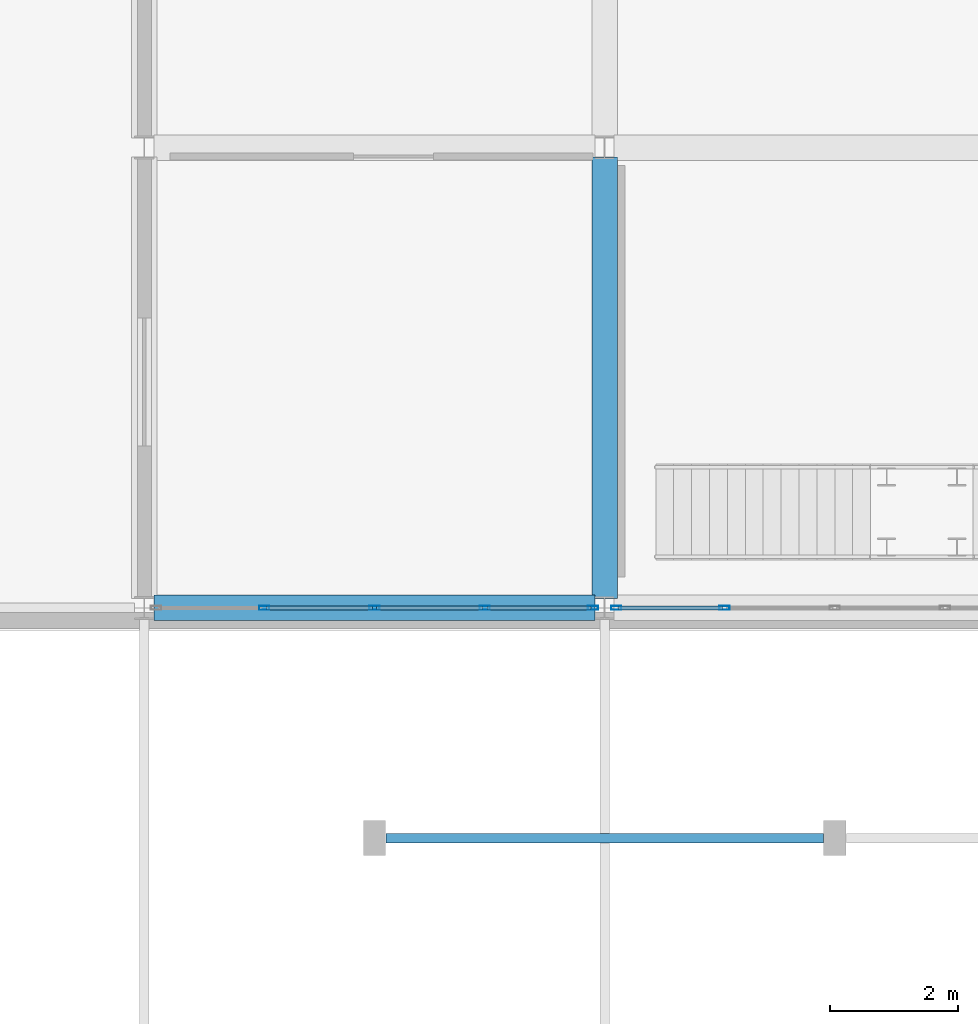
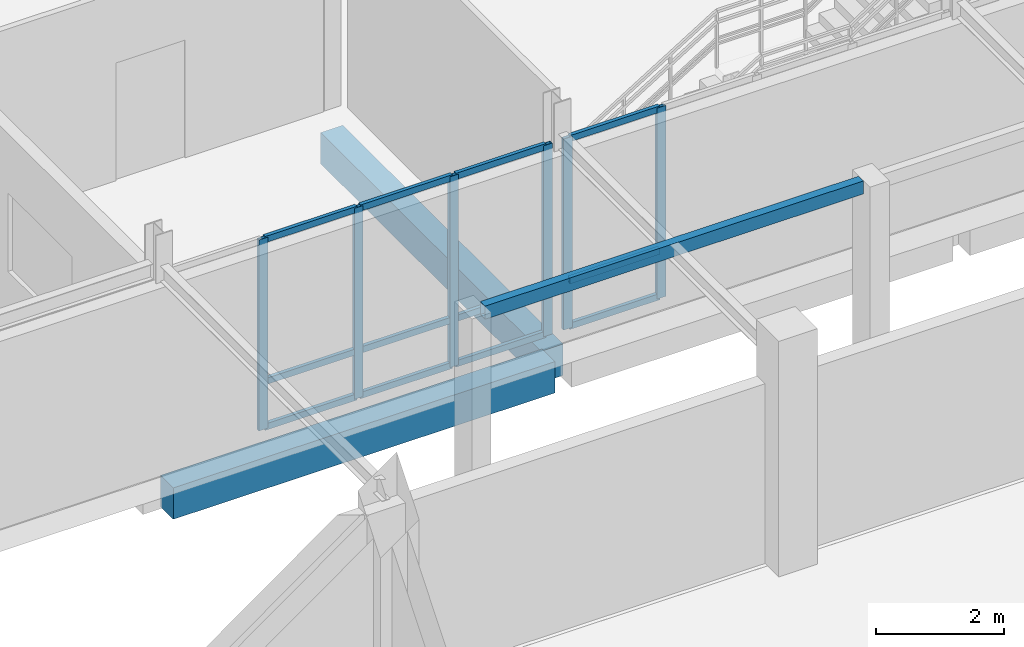
# One storey, part 29 of 139: 18 members, 3 beams, 2 elements without a shape of their own.
"""IFC4 building model written with IfcOpenShell, lengths in metres."""

from ifc_helpers import new_model, si_unit, direction, frame, origin, origin_2d, place, context, subcontext, project, spatial, rectangle, hollow_rectangle, extrude, material, material_profile, profile_set, type_object, element, aggregate, save


model = new_model("IFC4")

# Units and contexts
model_context = context("Model", 3, precision=1e-05, world=origin(), true_north=direction((0.0, 1.0)))
body_context = subcontext(model_context, "Body", "Model", "MODEL_VIEW")
ifc_project = project(units=[si_unit("LENGTHUNIT", "METRE"), si_unit("AREAUNIT", "SQUARE_METRE"), si_unit("VOLUMEUNIT", "CUBIC_METRE"), si_unit("PLANEANGLEUNIT", "RADIAN"), si_unit("MASSUNIT", "GRAM", prefix="KILO")], contexts=[model_context])

# Site, building, storey
site_placement = place(None, origin())
site = spatial("IfcSite", under=ifc_project, at=site_placement, CompositionType="ELEMENT")
building_placement = place(site_placement, origin())
building = spatial("IfcBuilding", under=site, at=building_placement, Name="Suanplinth Sawtooth Commons", CompositionType="ELEMENT")
storey_placement = place(building_placement, origin())
storey = spatial("IfcBuildingStorey", under=building, at=storey_placement, Name="L00", CompositionType="ELEMENT", Elevation=0.0)

# Beams
ifc_material_1 = material(Name="Precast concrete C40/50", Category="concrete")
ifc_material_profile_1 = material_profile(ifc_material_1, rectangle(XDim=0.39990234375, YDim=0.60009765625, at=origin_2d()), Name="PC-GDR 400x600")
ifc_profile_set_1 = profile_set([ifc_material_profile_1], Name="Precast concrete C40/50")
beam_type_1 = type_object("IfcBeamType", Name="B-05", PredefinedType="USERDEFINED", material=ifc_profile_set_1)
for number, where, z_axis, x_axis, name in (
    (1, (14.550048828125, 50.39990234375, -0.7099609375), (1.0, 0.0, 0.0), (0.0, 1.0, 0.0), "BMX-L00-MKT-2-7"),
    (2, (21.60009765625, 50.550048828125, -0.7099609375), (0.0, 1.0, 0.0), (-1.0, 0.0, 0.0), "BMY-L00-MKT-3-7"),
):
    element("IfcBeam", number, at=place(storey_placement, frame(where, z_axis=z_axis, x_axis=x_axis)), inside=storey, type_object=beam_type_1, Name=name, ObjectType="GIRDER", PredefinedType="USERDEFINED", context=body_context, shape_type="SweptSolid", body=[
        extrude(rectangle(XDim=0.39990234375, YDim=0.60009765625, at=origin_2d()), origin(), (0.0, 0.0, 1.0), 6.89990234375),
    ])
ifc_material_2 = material(Name="Steel S355JR", Category="steel")
ifc_material_profile_2 = material_profile(ifc_material_2, hollow_rectangle(XDim=0.14990234375, YDim=0.25, WallThickness=0.010009765625, at=origin_2d()), Name="RHS 250x150x10")
ifc_profile_set_2 = profile_set([ifc_material_profile_2], Name="Steel S355JR")
beam_type_2 = type_object("IfcBeamType", Name="B-18", PredefinedType="BEAM", material=ifc_profile_set_2)
beam_placement = place(storey_placement, frame((18.179931640625, 46.800048828125, 3.77490234375), z_axis=(1.0, 0.0, 0.0), x_axis=(0.0, 1.0, 0.0)))
element("IfcBeam", 3, at=beam_placement, inside=storey, type_object=beam_type_2, Name="Market Porch Edge Beam 1", PredefinedType="BEAM", context=body_context, shape_type="SweptSolid", body=[
    extrude(hollow_rectangle(XDim=0.14990234375, YDim=0.25, WallThickness=0.010009765625, at=origin_2d()), origin(), (0.0, 0.0, 1.0), 6.840087890625),
])

# Curtain wall, members
ifc_material_3 = material(Name="Anodized aluminium and low-E glazing", Category="aluminium")
curtain_wall_type = type_object("IfcCurtainWallType", Name="CW-02", PredefinedType="USERDEFINED", material=ifc_material_3)
curtain_wall_1_placement = place(storey_placement, origin())
curtain_wall_1 = element("IfcCurtainWall", 4, at=curtain_wall_1_placement, inside=storey, type_object=curtain_wall_type, Name="Curtain Wall CW-L00-MKT-S-2", ObjectType="CURTAIN WALL", PredefinedType="USERDEFINED")
ifc_material_4 = material(Name="Anodized aluminium 6063-T6", Category="aluminium")
ifc_material_profile_3 = material_profile(ifc_material_4, hollow_rectangle(XDim=0.06494140625, YDim=0.159912109375, WallThickness=0.00390625, at=origin_2d()), Name="ALU-MUL 65x160")
ifc_profile_set_3 = profile_set([ifc_material_profile_3], Name="Anodized aluminium 6063-T6")
member_type_1 = type_object("IfcMemberType", Name="M-13", PredefinedType="MULLION", material=ifc_profile_set_3)
member_1_placement = place(storey_placement, frame((16.27490234375, 50.39990234375, 0.0), z_axis=(0.0, 0.0, 1.0), x_axis=(0.0, 1.0, 0.0)))
member_1 = element("IfcMember", 5, at=member_1_placement, type_object=member_type_1, Name="CW-02 mullion 2", PredefinedType="MULLION", context=body_context, shape_type="SweptSolid", body=[
    extrude(hollow_rectangle(XDim=0.06494140625, YDim=0.159912109375, WallThickness=0.00390625, at=origin_2d()), origin(), (0.0, 0.0, 1.0), 3.64990234375),
])
member_2_placement = place(storey_placement, frame((18.0, 50.39990234375, 0.0), z_axis=(0.0, 0.0, 1.0), x_axis=(0.0, 1.0, 0.0)))
member_2 = element("IfcMember", 6, at=member_2_placement, type_object=member_type_1, Name="CW-02 mullion 3", PredefinedType="MULLION", context=body_context, shape_type="SweptSolid", body=[
    extrude(hollow_rectangle(XDim=0.06494140625, YDim=0.159912109375, WallThickness=0.00390625, at=origin_2d()), origin(), (0.0, 0.0, 1.0), 3.64990234375),
])
member_3_placement = place(storey_placement, frame((19.72509765625, 50.39990234375, 0.0), z_axis=(0.0, 0.0, 1.0), x_axis=(0.0, 1.0, 0.0)))
member_3 = element("IfcMember", 7, at=member_3_placement, type_object=member_type_1, Name="CW-02 mullion 4", PredefinedType="MULLION", context=body_context, shape_type="SweptSolid", body=[
    extrude(hollow_rectangle(XDim=0.06494140625, YDim=0.159912109375, WallThickness=0.00390625, at=origin_2d()), origin(), (0.0, 0.0, 1.0), 3.64990234375),
])
member_4_placement = place(storey_placement, frame((21.41748046875, 50.39990234375, 0.0), z_axis=(0.0, 0.0, 1.0), x_axis=(0.0, 1.0, 0.0)))
member_4 = element("IfcMember", 8, at=member_4_placement, type_object=member_type_1, Name="CW-02 mullion 5", PredefinedType="MULLION", context=body_context, shape_type="SweptSolid", body=[
    extrude(hollow_rectangle(XDim=0.06494140625, YDim=0.159912109375, WallThickness=0.00390625, at=origin_2d()), origin(), (0.0, 0.0, 1.0), 3.64990234375),
])

curtain_wall_2_placement = place(storey_placement, origin())
curtain_wall_2 = element("IfcCurtainWall", 9, at=curtain_wall_2_placement, inside=storey, type_object=curtain_wall_type, Name="Curtain Wall CW-L00-MKT-S-3", ObjectType="CURTAIN WALL", PredefinedType="USERDEFINED")
member_5_placement = place(storey_placement, frame((21.782470703125, 50.39990234375, 0.0), z_axis=(0.0, 0.0, 1.0), x_axis=(0.0, 1.0, 0.0)))
member_5 = element("IfcMember", 10, at=member_5_placement, type_object=member_type_1, Name="CW-02 mullion 1", PredefinedType="MULLION", context=body_context, shape_type="SweptSolid", body=[
    extrude(hollow_rectangle(XDim=0.06494140625, YDim=0.159912109375, WallThickness=0.00390625, at=origin_2d()), origin(), (0.0, 0.0, 1.0), 3.64990234375),
])
member_6_placement = place(storey_placement, frame((23.47509765625, 50.39990234375, 0.0), z_axis=(0.0, 0.0, 1.0), x_axis=(0.0, 1.0, 0.0)))
member_6 = element("IfcMember", 11, at=member_6_placement, type_object=member_type_1, Name="CW-02 mullion 2", PredefinedType="MULLION", context=body_context, shape_type="SweptSolid", body=[
    extrude(hollow_rectangle(XDim=0.06494140625, YDim=0.159912109375, WallThickness=0.00390625, at=origin_2d()), origin(), (0.0, 0.0, 1.0), 3.64990234375),
])

# Member
ifc_material_profile_4 = material_profile(ifc_material_4, hollow_rectangle(XDim=0.06494140625, YDim=0.1201171875, WallThickness=0.00390625, at=origin_2d()), Name="ALU-TRN 65x120")
ifc_profile_set_4 = profile_set([ifc_material_profile_4], Name="Anodized aluminium 6063-T6")
member_type_2 = type_object("IfcMemberType", Name="M-15", PredefinedType="USERDEFINED", material=ifc_profile_set_4)
member_7_placement = place(storey_placement, frame((16.3076171875, 50.39990234375, 0.032470703125), z_axis=(1.0, 0.0, 0.0), x_axis=(0.0, 1.0, 0.0)))
member_7 = element("IfcMember", 12, at=member_7_placement, type_object=member_type_2, Name="CW-02 transom 2.1", ObjectType="TRANSOM", PredefinedType="USERDEFINED", context=body_context, shape_type="SweptSolid", body=[
    extrude(hollow_rectangle(XDim=0.06494140625, YDim=0.1201171875, WallThickness=0.00390625, at=origin_2d()), origin(), (0.0, 0.0, 1.0), 1.659912109375),
])

member_8_placement = place(storey_placement, frame((16.3076171875, 50.39990234375, 0.89990234375), z_axis=(1.0, 0.0, 0.0), x_axis=(0.0, 1.0, 0.0)))
member_8 = element("IfcMember", 13, at=member_8_placement, type_object=member_type_2, Name="CW-02 transom 2.2", ObjectType="TRANSOM", PredefinedType="USERDEFINED", context=body_context, shape_type="SweptSolid", body=[
    extrude(hollow_rectangle(XDim=0.06494140625, YDim=0.1201171875, WallThickness=0.00390625, at=origin_2d()), origin(), (0.0, 0.0, 1.0), 1.659912109375),
])

member_9_placement = place(storey_placement, frame((16.3076171875, 50.39990234375, 3.617431640625), z_axis=(1.0, 0.0, 0.0), x_axis=(0.0, 1.0, 0.0)))
member_9 = element("IfcMember", 14, at=member_9_placement, type_object=member_type_2, Name="CW-02 transom 2.3", ObjectType="TRANSOM", PredefinedType="USERDEFINED", context=body_context, shape_type="SweptSolid", body=[
    extrude(hollow_rectangle(XDim=0.06494140625, YDim=0.1201171875, WallThickness=0.00390625, at=origin_2d()), origin(), (0.0, 0.0, 1.0), 1.659912109375),
])

member_10_placement = place(storey_placement, frame((18.032470703125, 50.39990234375, 0.032470703125), z_axis=(1.0, 0.0, 0.0), x_axis=(0.0, 1.0, 0.0)))
member_10 = element("IfcMember", 15, at=member_10_placement, type_object=member_type_2, Name="CW-02 transom 3.1", ObjectType="TRANSOM", PredefinedType="USERDEFINED", context=body_context, shape_type="SweptSolid", body=[
    extrude(hollow_rectangle(XDim=0.06494140625, YDim=0.1201171875, WallThickness=0.00390625, at=origin_2d()), origin(), (0.0, 0.0, 1.0), 1.659912109375),
])

member_11_placement = place(storey_placement, frame((18.032470703125, 50.39990234375, 0.89990234375), z_axis=(1.0, 0.0, 0.0), x_axis=(0.0, 1.0, 0.0)))
member_11 = element("IfcMember", 16, at=member_11_placement, type_object=member_type_2, Name="CW-02 transom 3.2", ObjectType="TRANSOM", PredefinedType="USERDEFINED", context=body_context, shape_type="SweptSolid", body=[
    extrude(hollow_rectangle(XDim=0.06494140625, YDim=0.1201171875, WallThickness=0.00390625, at=origin_2d()), origin(), (0.0, 0.0, 1.0), 1.659912109375),
])

member_12_placement = place(storey_placement, frame((18.032470703125, 50.39990234375, 3.617431640625), z_axis=(1.0, 0.0, 0.0), x_axis=(0.0, 1.0, 0.0)))
member_12 = element("IfcMember", 17, at=member_12_placement, type_object=member_type_2, Name="CW-02 transom 3.3", ObjectType="TRANSOM", PredefinedType="USERDEFINED", context=body_context, shape_type="SweptSolid", body=[
    extrude(hollow_rectangle(XDim=0.06494140625, YDim=0.1201171875, WallThickness=0.00390625, at=origin_2d()), origin(), (0.0, 0.0, 1.0), 1.659912109375),
])

member_13_placement = place(storey_placement, frame((19.757568359375, 50.39990234375, 0.032470703125), z_axis=(1.0, 0.0, 0.0), x_axis=(0.0, 1.0, 0.0)))
member_13 = element("IfcMember", 18, at=member_13_placement, type_object=member_type_2, Name="CW-02 transom 4.1", ObjectType="TRANSOM", PredefinedType="USERDEFINED", context=body_context, shape_type="SweptSolid", body=[
    extrude(hollow_rectangle(XDim=0.06494140625, YDim=0.1201171875, WallThickness=0.00390625, at=origin_2d()), origin(), (0.0, 0.0, 1.0), 1.62744140625),
])

member_14_placement = place(storey_placement, frame((19.757568359375, 50.39990234375, 0.89990234375), z_axis=(1.0, 0.0, 0.0), x_axis=(0.0, 1.0, 0.0)))
member_14 = element("IfcMember", 19, at=member_14_placement, type_object=member_type_2, Name="CW-02 transom 4.2", ObjectType="TRANSOM", PredefinedType="USERDEFINED", context=body_context, shape_type="SweptSolid", body=[
    extrude(hollow_rectangle(XDim=0.06494140625, YDim=0.1201171875, WallThickness=0.00390625, at=origin_2d()), origin(), (0.0, 0.0, 1.0), 1.62744140625),
])

member_15_placement = place(storey_placement, frame((19.757568359375, 50.39990234375, 3.617431640625), z_axis=(1.0, 0.0, 0.0), x_axis=(0.0, 1.0, 0.0)))
member_15 = element("IfcMember", 20, at=member_15_placement, type_object=member_type_2, Name="CW-02 transom 4.3", ObjectType="TRANSOM", PredefinedType="USERDEFINED", context=body_context, shape_type="SweptSolid", body=[
    extrude(hollow_rectangle(XDim=0.06494140625, YDim=0.1201171875, WallThickness=0.00390625, at=origin_2d()), origin(), (0.0, 0.0, 1.0), 1.62744140625),
])

aggregate(curtain_wall_1, [member_1, member_2, member_3, member_4, member_7, member_8, member_9, member_10, member_11, member_12, member_13, member_14, member_15])

member_16_placement = place(storey_placement, frame((21.81494140625, 50.39990234375, 0.032470703125), z_axis=(1.0, 0.0, 0.0), x_axis=(0.0, 1.0, 0.0)))
member_16 = element("IfcMember", 21, at=member_16_placement, type_object=member_type_2, Name="CW-02 transom 1.1", ObjectType="TRANSOM", PredefinedType="USERDEFINED", context=body_context, shape_type="SweptSolid", body=[
    extrude(hollow_rectangle(XDim=0.06494140625, YDim=0.1201171875, WallThickness=0.00390625, at=origin_2d()), origin(), (0.0, 0.0, 1.0), 1.62744140625),
])

member_17_placement = place(storey_placement, frame((21.81494140625, 50.39990234375, 0.89990234375), z_axis=(1.0, 0.0, 0.0), x_axis=(0.0, 1.0, 0.0)))
member_17 = element("IfcMember", 22, at=member_17_placement, type_object=member_type_2, Name="CW-02 transom 1.2", ObjectType="TRANSOM", PredefinedType="USERDEFINED", context=body_context, shape_type="SweptSolid", body=[
    extrude(hollow_rectangle(XDim=0.06494140625, YDim=0.1201171875, WallThickness=0.00390625, at=origin_2d()), origin(), (0.0, 0.0, 1.0), 1.62744140625),
])

member_18_placement = place(storey_placement, frame((21.81494140625, 50.39990234375, 3.617431640625), z_axis=(1.0, 0.0, 0.0), x_axis=(0.0, 1.0, 0.0)))
member_18 = element("IfcMember", 23, at=member_18_placement, type_object=member_type_2, Name="CW-02 transom 1.3", ObjectType="TRANSOM", PredefinedType="USERDEFINED", context=body_context, shape_type="SweptSolid", body=[
    extrude(hollow_rectangle(XDim=0.06494140625, YDim=0.1201171875, WallThickness=0.00390625, at=origin_2d()), origin(), (0.0, 0.0, 1.0), 1.62744140625),
])

aggregate(curtain_wall_2, [member_5, member_6, member_16, member_17, member_18])

save(model, "model.ifc")
